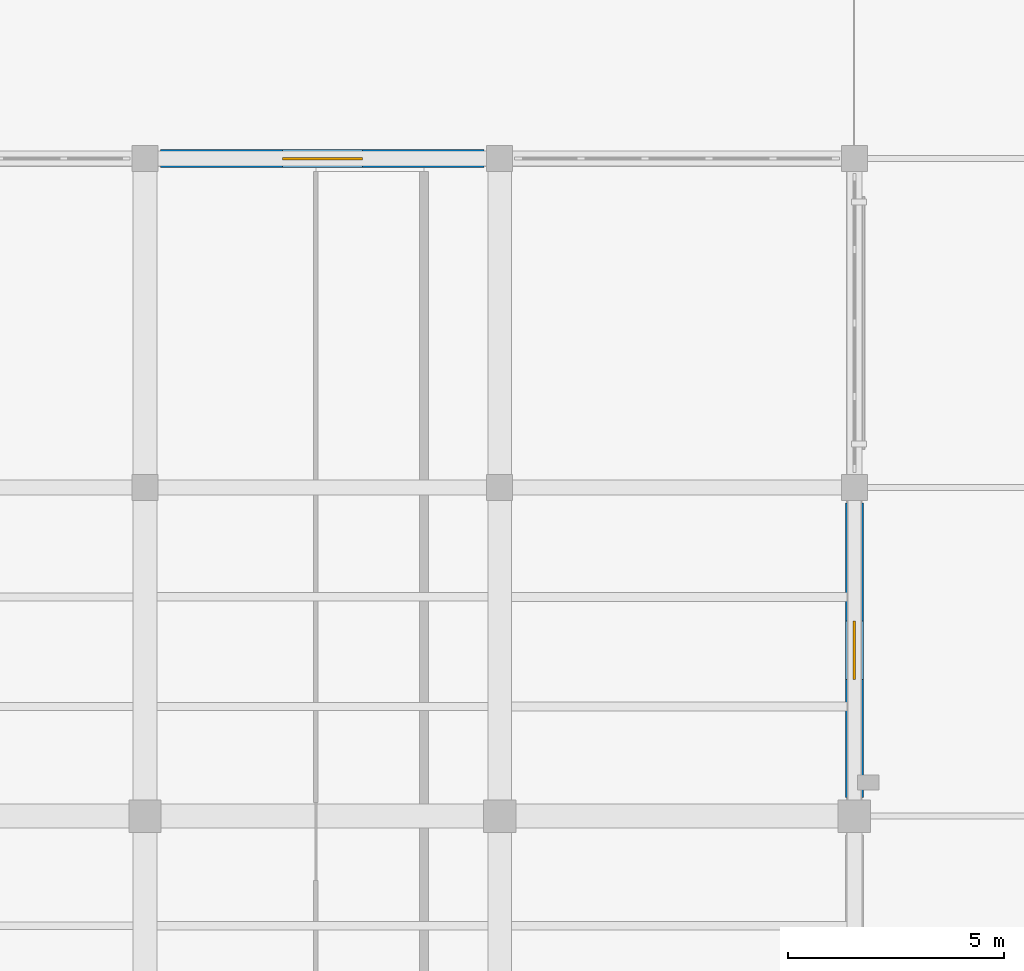
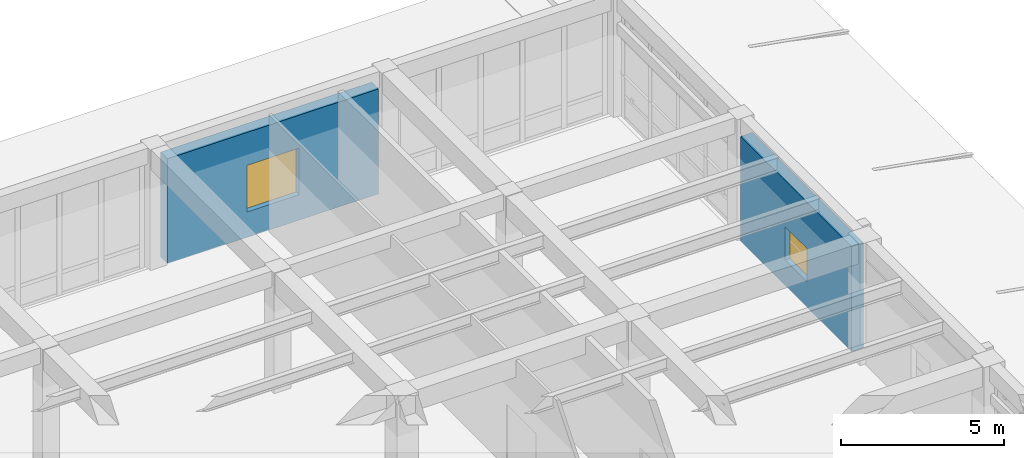
# One storey, part 43 of 57: 2 walls, 2 windows, 2 openings.
"""IFC4 building model written with IfcOpenShell, lengths in metres."""

from ifc_helpers import new_model, si_unit, direction, frame, frame_2d, origin, place, context, subcontext, project, spatial, rectangle, extrude, material, layer, layer_set, type_object, element, fill, save


model = new_model("IFC4")

# Units and contexts
model_context = context("Model", 3, precision=1e-05, world=origin(), true_north=direction((0.0, 1.0)))
body_context = subcontext(model_context, "Body", "Model", "MODEL_VIEW")
ifc_project = project(units=[si_unit("LENGTHUNIT", "METRE"), si_unit("AREAUNIT", "SQUARE_METRE"), si_unit("VOLUMEUNIT", "CUBIC_METRE"), si_unit("PLANEANGLEUNIT", "RADIAN"), si_unit("MASSUNIT", "GRAM", prefix="KILO")], contexts=[model_context])

# Site, building, storey
site_placement = place(None, origin())
site = spatial("IfcSite", under=ifc_project, at=site_placement, CompositionType="ELEMENT")
building_placement = place(site_placement, origin())
building = spatial("IfcBuilding", under=site, at=building_placement, Name="Qandaris Square Conservatory and Botanical Centre", CompositionType="ELEMENT")
storey_placement = place(building_placement, frame((0.0, 0.0, 5.39990234375)))
storey = spatial("IfcBuildingStorey", under=building, at=storey_placement, Name="L01", CompositionType="ELEMENT", Elevation=5.39990234375)

# Wall, opening, window
ifc_material_1 = material(Name="Concrete C40/50", Category="concrete")
ifc_layer = layer(ifc_material_1, 0.419921875)
ifc_layer_set = layer_set([ifc_layer], Name="Concrete C40/50")
wall_type = type_object("IfcWallType", Name="Insulated Qatari Limestone Cavity Wall 420mm", PredefinedType="SOLIDWALL", material=ifc_layer_set)
wall_1_placement = place(storey_placement, frame((163.800048828125, 93.034912109375, 0.0), z_axis=(0.0, 0.0, 1.0), x_axis=(0.0, 1.0, 0.0)))
wall_1 = element("IfcWall", 1, at=wall_1_placement, inside=storey, type_object=wall_type, Name="Exterior Wall EW-TWR-L01-2-11", PredefinedType="SOLIDWALL", context=body_context, shape_type="SweptSolid", body=[
    extrude(rectangle(XDim=6.80517578125, YDim=0.419921875, at=frame_2d((3.402587890625, 0.0))), origin(), (0.0, 0.0, 1.0), 3.93017578125),
])
opening_1_placement = place(wall_1_placement, frame((2.7275390625, 0.0, 0.949951171875)))
opening_1 = element("IfcOpeningElement", 2, at=opening_1_placement, cuts=wall_1, Name="Opening WN-21", PredefinedType="OPENING", context=body_context, shape_type="SweptSolid", body=[
    extrude(rectangle(XDim=1.35009765625, YDim=1.25, at=frame_2d((0.675048828125, 0.625))), frame((0.0, 0.221923828125, 0.0), z_axis=(0.0, -1.0, 0.0), x_axis=(1.0, 0.0, 0.0)), (0.0, 0.0, 1.0), 0.44384765625),
])
ifc_material_2 = material(Name="Tempered Low-E Glass", Category="glass")
window_type_1 = type_object("IfcWindowType", Name="Solar Control Window 1350x1250", PartitioningType="SINGLE_PANEL", PredefinedType="WINDOW", material=ifc_material_2)
window_1_placement = place(opening_1_placement, origin())
window_1 = element("IfcWindow", 3, at=window_1_placement, inside=storey, type_object=window_type_1, Name="Window EW-TWR-L01-2-11", OverallHeight=1.25, OverallWidth=1.35009765625, PartitioningType="SINGLE_PANEL", PredefinedType="WINDOW", context=body_context, shape_type="SweptSolid", body=[
    extrude(rectangle(XDim=1.35009765625, YDim=1.25, at=frame_2d((0.675048828125, 0.625))), frame((0.0, 0.030029296875, 0.0), z_axis=(0.0, -1.0, 0.0), x_axis=(1.0, 0.0, 0.0)), (0.0, 0.0, 1.0), 0.06005859375),
])
fill(opening_1, window_1)

wall_2_placement = place(storey_placement, frame((155.239990234375, 107.800048828125, 0.0), z_axis=(0.0, 0.0, 1.0), x_axis=(-1.0, 0.0, 0.0)))
wall_2 = element("IfcWall", 4, at=wall_2_placement, inside=storey, type_object=wall_type, Name="Exterior Wall EW-TWR-L01-3-2", PredefinedType="SOLIDWALL", context=body_context, shape_type="SweptSolid", body=[
    extrude(rectangle(XDim=7.47998046875, YDim=0.419921875, at=frame_2d((3.739990234375, 0.0))), origin(), (0.0, 0.0, 1.0), 3.93017578125),
])
opening_2_placement = place(wall_2_placement, frame((2.81494140625, 0.0, 0.949951171875)))
opening_2 = element("IfcOpeningElement", 5, at=opening_2_placement, cuts=wall_2, Name="Opening WN-31", PredefinedType="OPENING", context=body_context, shape_type="SweptSolid", body=[
    extrude(rectangle(XDim=1.85009765625, YDim=1.75, at=frame_2d((0.925048828125, 0.875))), frame((0.0, 0.221923828125, 0.0), z_axis=(0.0, -1.0, 0.0), x_axis=(1.0, 0.0, 0.0)), (0.0, 0.0, 1.0), 0.44384765625),
])
window_type_2 = type_object("IfcWindowType", Name="Solar Control Window 1850x1750", PartitioningType="DOUBLE_PANEL_VERTICAL", PredefinedType="WINDOW", material=ifc_material_2)
window_2_placement = place(opening_2_placement, origin())
window_2 = element("IfcWindow", 6, at=window_2_placement, inside=storey, type_object=window_type_2, Name="Window EW-TWR-L01-3-2", OverallHeight=1.75, OverallWidth=1.85009765625, PartitioningType="DOUBLE_PANEL_VERTICAL", PredefinedType="WINDOW", context=body_context, shape_type="SweptSolid", body=[
    extrude(rectangle(XDim=1.85009765625, YDim=1.75, at=frame_2d((0.925048828125, 0.875))), frame((0.0, 0.030029296875, 0.0), z_axis=(0.0, -1.0, 0.0), x_axis=(1.0, 0.0, 0.0)), (0.0, 0.0, 1.0), 0.06005859375),
])
fill(opening_2, window_2)

save(model, "model.ifc")
